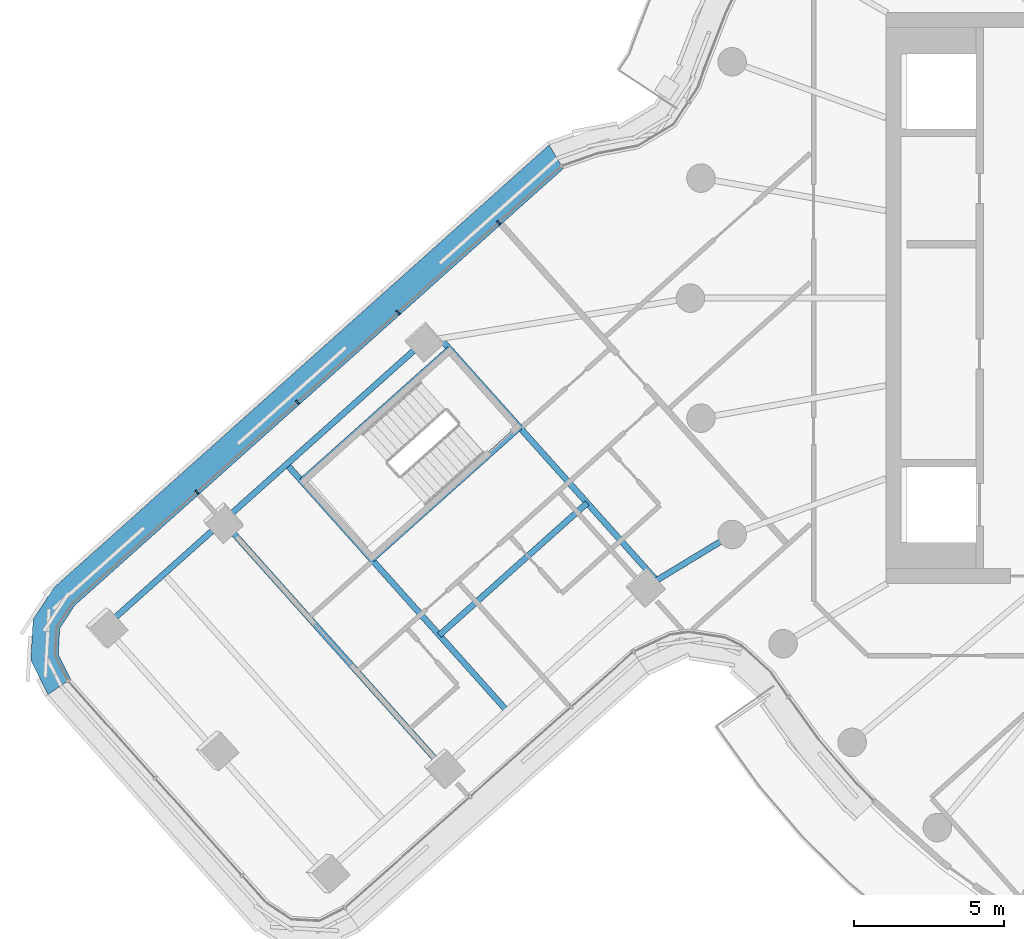
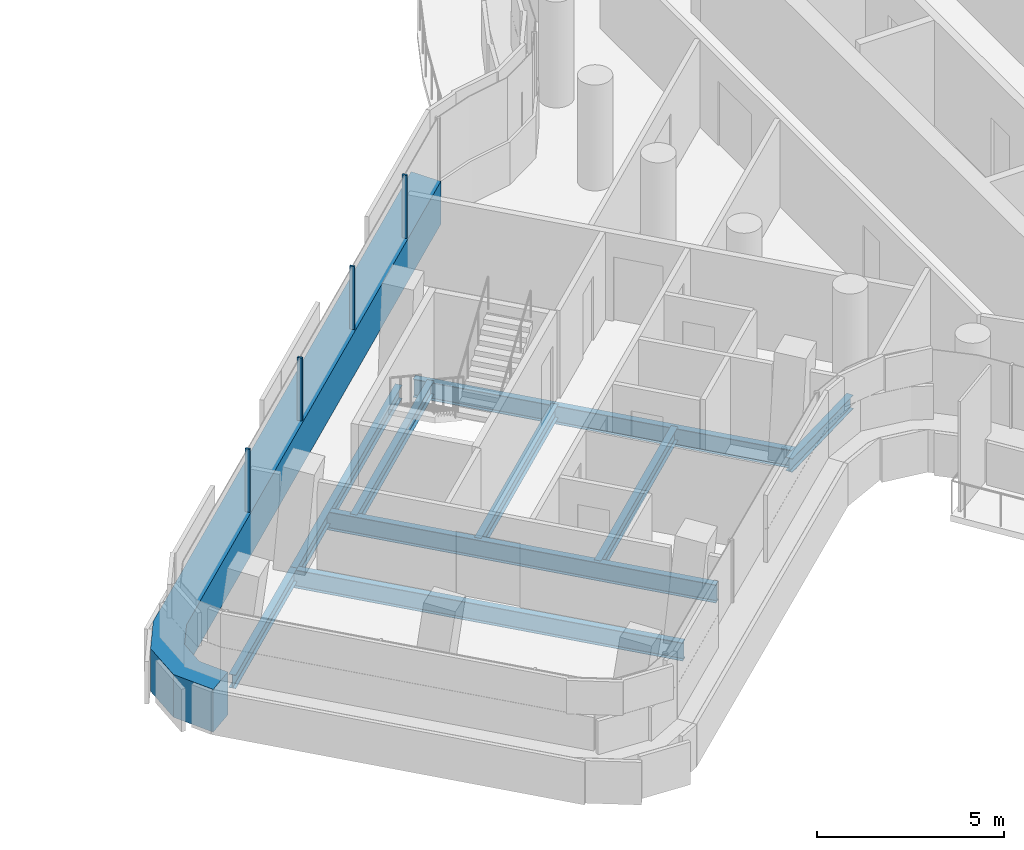
# One storey, part 8 of 33: 9 beams, 5 members, 1 element without a shape of its own.
"""IFC4 building model written with IfcOpenShell, lengths in metres."""

from ifc_helpers import new_model, si_unit, direction, frame, origin, origin_2d, place, context, subcontext, project, spatial, polyline, rectangle, i_section, outline, extrude, material, layer, layer_set, material_profile, profile_set, type_object, element, aggregate, save


model = new_model("IFC4")

# Units and contexts
model_context = context("Model", 3, precision=1e-05, world=origin(), true_north=direction((0.0, 1.0)))
body_context = subcontext(model_context, "Body", "Model", "MODEL_VIEW")
ifc_project = project(units=[si_unit("LENGTHUNIT", "METRE"), si_unit("AREAUNIT", "SQUARE_METRE"), si_unit("VOLUMEUNIT", "CUBIC_METRE"), si_unit("PLANEANGLEUNIT", "RADIAN"), si_unit("MASSUNIT", "GRAM", prefix="KILO")], contexts=[model_context])

# Site, building, storey
site_placement = place(None, origin())
site = spatial("IfcSite", under=ifc_project, at=site_placement, CompositionType="ELEMENT")
building_placement = place(site_placement, origin())
building = spatial("IfcBuilding", under=site, at=building_placement, Name="Tamarind Cross Interchange Tower", CompositionType="ELEMENT")
storey_placement = place(building_placement, frame((0.0, 0.0, 186.10009765625)))
storey = spatial("IfcBuildingStorey", under=building, at=storey_placement, Name="L46", CompositionType="ELEMENT", Elevation=186.10009765625)

# Beams
ifc_material_1 = material(Name="Steel Q355B", Category="steel")
ifc_material_profile_1 = material_profile(ifc_material_1, i_section(OverallWidth=0.198974609375, OverallDepth=0.446044921875, WebThickness=0.008056640625, FlangeThickness=0.011962890625, FilletRadius=0.012939453125, at=origin_2d()), Name="HN 446x199x8x12")
ifc_profile_set_1 = profile_set([ifc_material_profile_1], Name="Steel Q355B")
beam_type_1 = type_object("IfcBeamType", Name="Composite beam HN 446x199x8x12 Q355B", PredefinedType="BEAM", material=ifc_profile_set_1)
beam_1_placement = place(storey_placement, frame((-42.489501953125, -10.9375, -0.363037109375), z_axis=(0.745572278021, 0.666424773134, 0.0), x_axis=(-0.666424773134, 0.745572278021, 0.0)))
element("IfcBeam", 1, at=beam_1_placement, inside=storey, type_object=beam_type_1, Name="Beam W-edgeem5", PredefinedType="BEAM", context=body_context, shape_type="SweptSolid", body=[
    extrude(i_section(OverallWidth=0.198974609375, OverallDepth=0.446044921875, WebThickness=0.008056640625, FlangeThickness=0.011962890625, FilletRadius=0.012939453125, at=origin_2d()), origin(), (0.0, 0.0, 1.0), 5.265380859375),
])
beam_2_placement = place(storey_placement, frame((-38.563720703125, -7.428466796875, -0.363037109375), z_axis=(0.745576087658, 0.666420511024, 0.0), x_axis=(-0.666420511024, 0.745576087658, 0.0)))
element("IfcBeam", 2, at=beam_2_placement, inside=storey, type_object=beam_type_1, Name="Beam W-edgeem6", PredefinedType="BEAM", context=body_context, shape_type="SweptSolid", body=[
    extrude(i_section(OverallWidth=0.198974609375, OverallDepth=0.446044921875, WebThickness=0.008056640625, FlangeThickness=0.011962890625, FilletRadius=0.012939453125, at=origin_2d()), origin(), (0.0, 0.0, 1.0), 9.0),
])
beam_3_placement = place(storey_placement, frame((-24.52294921875, -9.632080078125, -0.363037109375), z_axis=(0.854931808168, 0.518740400761, 0.0), x_axis=(-0.518740400761, 0.854931808168, 0.0)))
element("IfcBeam", 3, at=beam_3_placement, inside=storey, type_object=beam_type_1, Name="Beam W-linkep", PredefinedType="BEAM", context=body_context, shape_type="SweptSolid", body=[
    extrude(i_section(OverallWidth=0.198974609375, OverallDepth=0.446044921875, WebThickness=0.008056640625, FlangeThickness=0.011962890625, FilletRadius=0.012939453125, at=origin_2d()), origin(), (0.0, 0.0, 1.0), 3.403564453125),
])
for number, where, z_axis, x_axis, name in (
    (4, (-31.018310546875, -1.68994140625, -0.363037109375), (-0.745561459197, -0.666436876651, 0.0), (0.666436876651, -0.745561459197, 0.0), "Beam W-tr0"),
    (5, (-28.685791015625, -4.299560546875, -0.363037109375), (-0.745561459197, -0.666436876651, 0.0), (0.666436876651, -0.745561459197, 0.0), "Beam W-tr1"),
    (6, (-26.4365234375, -6.81591796875, -0.363037109375), (-0.745596267263, -0.666397933853, 0.0), (0.666397933853, -0.745596267263, 0.0), "Beam W-stripp"),
):
    element("IfcBeam", number, at=place(storey_placement, frame(where, z_axis=z_axis, x_axis=x_axis)), inside=storey, type_object=beam_type_1, Name=name, PredefinedType="BEAM", context=body_context, shape_type="SweptSolid", body=[
        extrude(i_section(OverallWidth=0.198974609375, OverallDepth=0.446044921875, WebThickness=0.008056640625, FlangeThickness=0.011962890625, FilletRadius=0.012939453125, at=origin_2d()), origin(), (0.0, 0.0, 1.0), 6.599853515625),
    ])
ifc_material_profile_2 = material_profile(ifc_material_1, i_section(OverallWidth=0.198974609375, OverallDepth=0.595947265625, WebThickness=0.010009765625, FlangeThickness=0.014892578125, FilletRadius=0.012939453125, at=origin_2d()), Name="HN 596x199x10x15")
ifc_profile_set_2 = profile_set([ifc_material_profile_2], Name="Steel Q355B")
beam_type_2 = type_object("IfcBeamType", Name="Composite beam HN 596x199x10x15 Q355B", PredefinedType="BEAM", material=ifc_profile_set_2)
beam_4_placement = place(storey_placement, frame((-31.326171875, -1.345458984375, -0.43798828125), z_axis=(0.666423274482, -0.745573617578, 0.0), x_axis=(0.745573617578, 0.666423274482, 0.0)))
element("IfcBeam", 7, at=beam_4_placement, inside=storey, type_object=beam_type_2, Name="Beam W-x298", PredefinedType="BEAM", context=body_context, shape_type="SweptSolid", body=[
    extrude(i_section(OverallWidth=0.198974609375, OverallDepth=0.595947265625, WebThickness=0.010009765625, FlangeThickness=0.014892578125, FilletRadius=0.012939453125, at=origin_2d()), origin(), (0.0, 0.0, 1.0), 10.7958984375),
])
beam_5_placement = place(storey_placement, frame((-36.438720703125, -5.529296875, -0.43798828125), z_axis=(0.666424975693, -0.745572096965, 0.0), x_axis=(0.745572096965, 0.666424975693, 0.0)))
element("IfcBeam", 8, at=beam_5_placement, inside=storey, type_object=beam_type_2, Name="Beam W-x364", PredefinedType="BEAM", context=body_context, shape_type="SweptSolid", body=[
    extrude(i_section(OverallWidth=0.198974609375, OverallDepth=0.595947265625, WebThickness=0.010009765625, FlangeThickness=0.014892578125, FilletRadius=0.012939453125, at=origin_2d()), origin(), (0.0, 0.0, 1.0), 10.999755859375),
])
beam_6_placement = place(storey_placement, frame((-38.563720703125, -7.428466796875, -0.43798828125), z_axis=(0.666426285371, -0.745570926315, 0.0), x_axis=(0.745570926315, 0.666426285371, 0.0)))
element("IfcBeam", 9, at=beam_6_placement, inside=storey, type_object=beam_type_2, Name="Beam W-x393", PredefinedType="BEAM", context=body_context, shape_type="SweptSolid", body=[
    extrude(i_section(OverallWidth=0.198974609375, OverallDepth=0.595947265625, WebThickness=0.010009765625, FlangeThickness=0.014892578125, FilletRadius=0.012939453125, at=origin_2d()), origin(), (0.0, 0.0, 1.0), 11.000244140625),
])

# Curtain wall, members
ifc_material_2 = material(Name="Aluminium 6063-T6", Category="aluminium")
ifc_layer = layer(ifc_material_2, 0.139892578125)
ifc_layer_set = layer_set([ifc_layer], Name="Aluminium 6063-T6")
curtain_wall_type = type_object("IfcCurtainWallType", Name="Hotel curtain wall, 4.5 m bays", PredefinedType="NOTDEFINED", material=ifc_layer_set)
curtain_wall_placement = place(storey_placement, origin())
curtain_wall = element("IfcCurtainWall", 10, at=curtain_wall_placement, inside=storey, type_object=curtain_wall_type, Name="CWS-L46-11", PredefinedType="NOTDEFINED")
ifc_material_3 = material(Name="Aluminium and insulated spandrel panel", Category="aluminium")
member_type_1 = type_object("IfcMemberType", Name="Floor-edge blade transom", PredefinedType="USERDEFINED", material=ifc_material_3)
member_1_placement = place(storey_placement, origin())
member_1 = element("IfcMember", 11, at=member_1_placement, type_object=member_type_1, Name="CWT-L46-11", ObjectType="TRANSOM", PredefinedType="USERDEFINED", context=body_context, shape_type="SweptSolid", body=[
    extrude(outline(polyline([(-27.235107421875, 4.30712890625), (-43.489013671875, -10.221435546875), (-43.990234375, -10.9873046875), (-44.039306640625, -11.860595703125), (-43.626708984375, -12.677734375), (-44.37646484375, -13.189208984375), (-44.951416015625, -12.051025390625), (-44.87548828125, -10.6962890625), (-44.177001953125, -9.62939453125), (-27.701416015625, 5.097412109375), (-27.235107421875, 4.30712890625)])), origin(), (0.0, 0.0, 1.0), 1.39990234375),
])
ifc_material_profile_3 = material_profile(ifc_material_2, rectangle(XDim=0.06005859375, YDim=0.139892578125, at=origin_2d()), Name="Mullion CW2")
ifc_profile_set_3 = profile_set([ifc_material_profile_3], Name="Aluminium 6063-T6")
member_type_2 = type_object("IfcMemberType", Name="Mullion CW2", PredefinedType="MULLION", material=ifc_profile_set_3)
member_2_placement = place(storey_placement, frame((-29.38818359375, 2.5166015625, 1.39990234375), z_axis=(0.0, 0.0, 1.0), x_axis=(-0.745569057905, -0.666428375667, 0.0)))
member_2 = element("IfcMember", 12, at=member_2_placement, type_object=member_type_2, Name="CWM-L46-11-01", PredefinedType="MULLION", context=body_context, shape_type="SweptSolid", body=[
    extrude(rectangle(XDim=0.06005859375, YDim=0.139892578125, at=origin_2d()), origin(), (0.0, 0.0, 1.0), 2.06005859375),
])
member_3_placement = place(storey_placement, frame((-32.733154296875, -0.47314453125, 1.39990234375), z_axis=(0.0, 0.0, 1.0), x_axis=(-0.745569057905, -0.666428375667, 0.0)))
member_3 = element("IfcMember", 13, at=member_3_placement, type_object=member_type_2, Name="CWM-L46-11-02", PredefinedType="MULLION", context=body_context, shape_type="SweptSolid", body=[
    extrude(rectangle(XDim=0.06005859375, YDim=0.139892578125, at=origin_2d()), origin(), (0.0, 0.0, 1.0), 2.06005859375),
])
member_4_placement = place(storey_placement, frame((-36.078125, -3.463134765625, 1.39990234375), z_axis=(0.0, 0.0, 1.0), x_axis=(-0.745569057905, -0.666428375667, 0.0)))
member_4 = element("IfcMember", 14, at=member_4_placement, type_object=member_type_2, Name="CWM-L46-11-03", PredefinedType="MULLION", context=body_context, shape_type="SweptSolid", body=[
    extrude(rectangle(XDim=0.06005859375, YDim=0.139892578125, at=origin_2d()), origin(), (0.0, 0.0, 1.0), 2.06005859375),
])
member_5_placement = place(storey_placement, frame((-39.4228515625, -6.452880859375, 1.39990234375), z_axis=(0.0, 0.0, 1.0), x_axis=(-0.745569057905, -0.666428375667, 0.0)))
member_5 = element("IfcMember", 15, at=member_5_placement, type_object=member_type_2, Name="CWM-L46-11-04", PredefinedType="MULLION", context=body_context, shape_type="SweptSolid", body=[
    extrude(rectangle(XDim=0.06005859375, YDim=0.139892578125, at=origin_2d()), origin(), (0.0, 0.0, 1.0), 2.06005859375),
])
aggregate(curtain_wall, [member_2, member_3, member_4, member_5, member_1])

save(model, "model.ifc")
